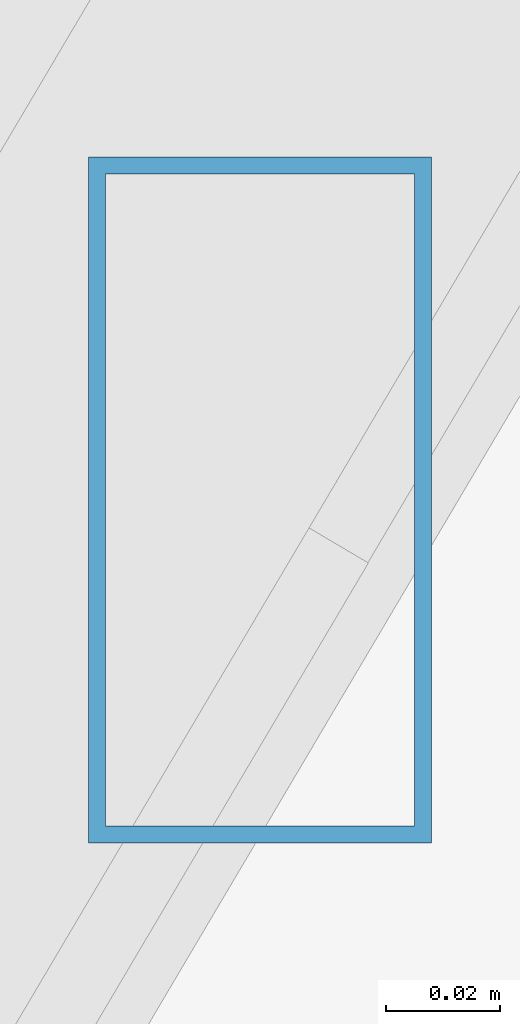
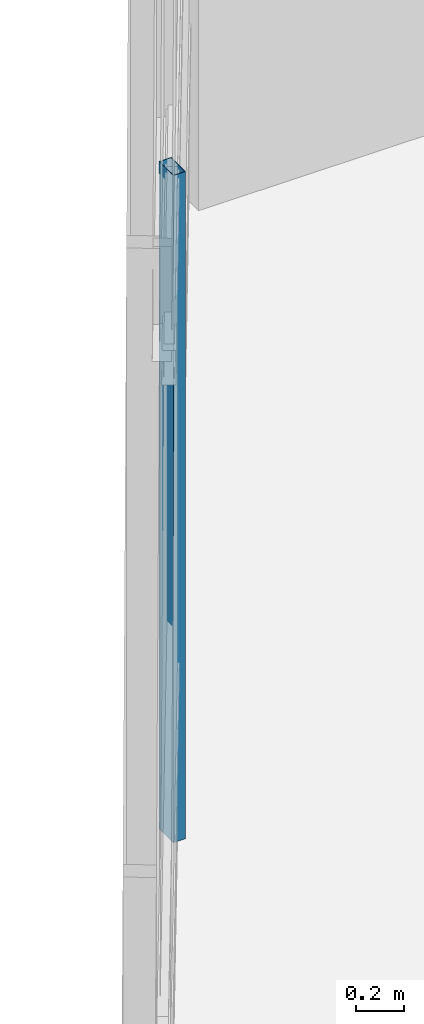
# One storey, part 9 of 50: 1 member, 1 element without a shape of its own.
"""IFC4 building model written with IfcOpenShell, lengths in metres."""

from ifc_helpers import new_model, si_unit, direction, frame, origin, origin_2d, place, context, subcontext, project, spatial, hollow_rectangle, extrude, source, transform, mapped, material, material_profile, profile_set, type_object, type_shapes, element, aggregate, save


model = new_model("IFC4")

# Units and contexts
model_context = context("Model", 3, precision=1e-05, world=origin(), true_north=direction((0.0, 1.0)))
body_context = subcontext(model_context, "Body", "Model", "MODEL_VIEW")
ifc_project = project(units=[si_unit("LENGTHUNIT", "METRE"), si_unit("AREAUNIT", "SQUARE_METRE"), si_unit("VOLUMEUNIT", "CUBIC_METRE"), si_unit("PLANEANGLEUNIT", "RADIAN"), si_unit("MASSUNIT", "GRAM", prefix="KILO")], contexts=[model_context])

# Site, building, storey
site_placement = place(None, origin())
site = spatial("IfcSite", under=ifc_project, at=site_placement, CompositionType="ELEMENT")
building_placement = place(site_placement, origin())
building = spatial("IfcBuilding", under=site, at=building_placement, Name="Caelisora Broadcast Tower", CompositionType="ELEMENT")
storey_placement = place(building_placement, frame((0.0, 0.0, 303.39990234375)))
storey = spatial("IfcBuildingStorey", under=building, at=storey_placement, Name="L80", CompositionType="ELEMENT", Elevation=303.39990234375)

# Curtain wall, member
ifc_material_1 = material(Name="Unitised Aluminium Insulated Shadow-Box Spandrel Curtain Wall", Category="aluminium")
curtain_wall_type = type_object("IfcCurtainWallType", Name="CW-SP3", PredefinedType="NOTDEFINED", material=ifc_material_1)
curtain_wall_placement = place(storey_placement, origin())
curtain_wall = element("IfcCurtainWall", 1, at=curtain_wall_placement, inside=storey, type_object=curtain_wall_type, Name="L80 curtain wall CW-SP3", PredefinedType="NOTDEFINED")
ifc_material_2 = material(Name="Aluminium 6063-T6 Anodised Terracotta Bronze", Category="aluminium")
ifc_material_profile = material_profile(ifc_material_2, hollow_rectangle(XDim=0.06005859375, YDim=0.1201171875, WallThickness=0.0029296875, at=origin_2d()), Name="Aluminium 6063-T6 Anodised Terracotta Bronze")
ifc_profile_set = profile_set([ifc_material_profile], Name="Aluminium 6063-T6 Anodised Terracotta Bronze")
member_type = type_object("IfcMemberType", Name="CWM-04", PredefinedType="MULLION", material=ifc_profile_set)
shared_shape = source(origin(), body_context, "Body", "SweptSolid", [
    extrude(hollow_rectangle(XDim=0.06005859375, YDim=0.1201171875, WallThickness=0.0029296875, at=origin_2d()), origin(), (0.0, 0.0, 1.0), 3.400146484375),
])
type_shapes(member_type, [shared_shape])
member_placement = place(storey_placement, frame((18.503173828125, 21.038818359375, 0.0), z_axis=(0.0, 0.0, 1.0), x_axis=(1.0, 0.0, 0.0)))
member = element("IfcMember", 2, at=member_placement, type_object=member_type, Name="L80-CW-B09 mullion #2", PredefinedType="MULLION", context=body_context, shape_type="MappedRepresentation", body=[
    mapped(shared_shape, transform((0.0, 0.0, 0.0), scale=1.0)),
])
aggregate(curtain_wall, [member])

save(model, "model.ifc")
